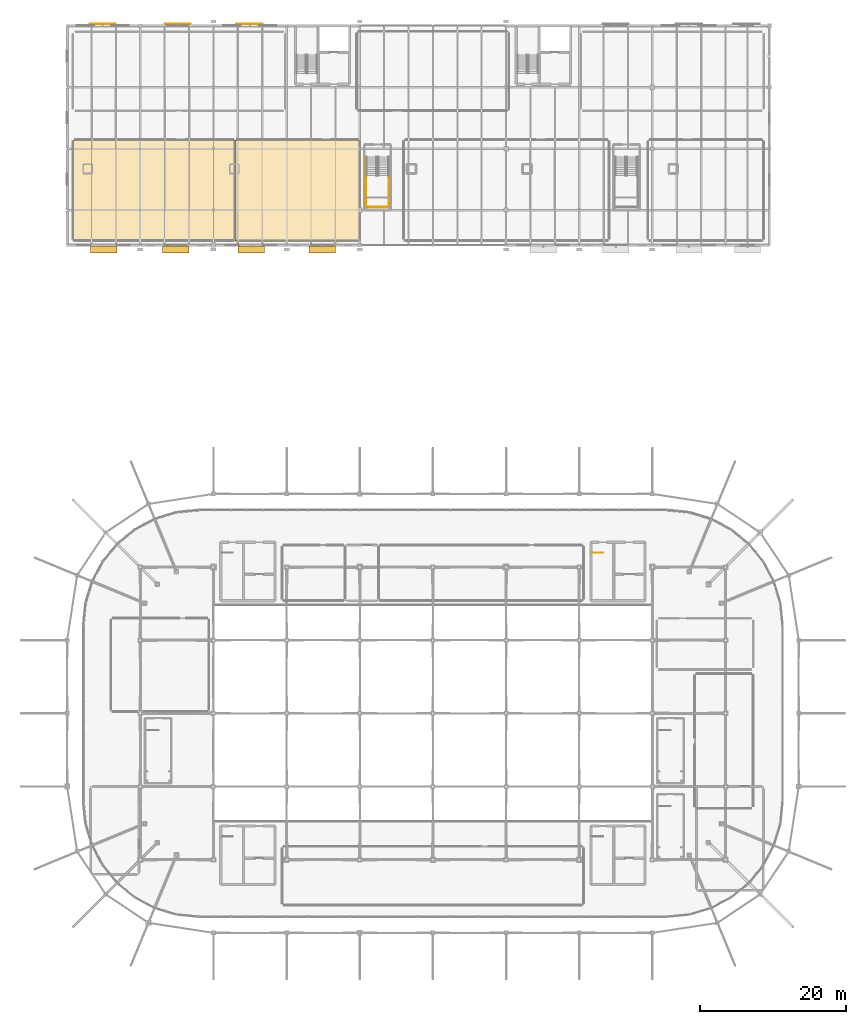
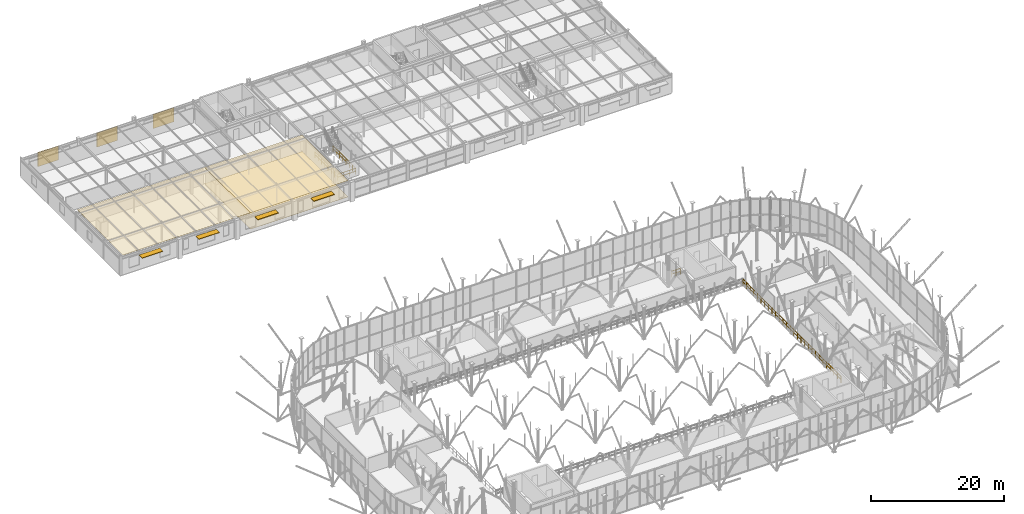
# One storey, part 106 of 109: 7 shading devices, 5 railings, 3 coverings.
"""IFC4 building model written with IfcOpenShell, lengths in metres."""

from ifc_helpers import new_model, si_unit, derived_unit, direction, frame, origin, origin_2d_with_axis, place, context, subcontext, project, spatial, polyline, rectangle, circle, outline, extrude, material, layer, layer_set, type_object, element, save


model = new_model("IFC4")

# Units and contexts
model_context = context("Model", 3, precision=1e-05, world=origin(), true_north=direction((0.0, 1.0)))
body_context = subcontext(model_context, "Body", "Model", "MODEL_VIEW")
ifc_project = project(units=[si_unit("LENGTHUNIT", "METRE"), si_unit("AREAUNIT", "SQUARE_METRE"), si_unit("VOLUMEUNIT", "CUBIC_METRE"), si_unit("PLANEANGLEUNIT", "RADIAN"), si_unit("MASSUNIT", "GRAM", prefix="KILO"), derived_unit("THERMALTRANSMITTANCEUNIT", [(si_unit("POWERUNIT", "WATT"), 1), (si_unit("LENGTHUNIT", "METRE"), -2), (si_unit("THERMODYNAMICTEMPERATUREUNIT", "KELVIN"), -1)])], contexts=[model_context])

# Site, building, storey
site_placement = place(None, origin())
site = spatial("IfcSite", under=ifc_project, at=site_placement, CompositionType="ELEMENT")
building_placement = place(site_placement, origin())
building = spatial("IfcBuilding", under=site, at=building_placement, Name="Cinnabar Yard Market Hall", CompositionType="ELEMENT")
storey_placement = place(building_placement, frame((0.0, 0.0, 8.39990234375)))
storey = spatial("IfcBuildingStorey", under=building, at=storey_placement, Name="L02", CompositionType="ELEMENT", Elevation=8.39990234375)

# Coverings
ifc_material_1 = material(Name="Perforated acoustic spotted-gum timber slats", Category="wood")
ifc_layer_1 = layer(ifc_material_1, 0.0400390625)
ifc_layer_set_1 = layer_set([ifc_layer_1], Name="Perforated acoustic spotted-gum timber slats")
covering_type_1 = type_object("IfcCoveringType", Name="COV-CLG1", PredefinedType="CEILING", material=ifc_layer_set_1)
covering_1_placement = place(storey_placement, frame((0.0, 0.0, 3.0)))
element("IfcCovering", 1, at=covering_1_placement, inside=storey, type_object=covering_type_1, Name="Ceiling Cooking School Teaching Kitchen 201", PredefinedType="CEILING", context=body_context, shape_type="SweptSolid", body=[
    extrude(outline(polyline([(66.800048828125, 108.60009765625), (89.0, 108.60009765625), (89.0, 122.39990234375), (66.800048828125, 122.39990234375), (66.800048828125, 108.60009765625)])), origin(), (0.0, 0.0, 1.0), 0.03515625),
])
covering_2_placement = place(storey_placement, frame((0.0, 0.0, 3.0)))
element("IfcCovering", 2, at=covering_2_placement, inside=storey, type_object=covering_type_1, Name="Ceiling Cooking School Pastry and Baking Kitchen 202", PredefinedType="CEILING", context=body_context, shape_type="SweptSolid", body=[
    extrude(outline(polyline([(89.0, 108.60009765625), (106.0, 108.60009765625), (106.0, 122.39990234375), (89.0, 122.39990234375), (89.0, 108.60009765625)])), origin(), (0.0, 0.0, 1.0), 0.03515625),
])
ifc_material_2 = material(Name="Honed Adelaide red terrazzo flooring")
ifc_layer_2 = layer(ifc_material_2, 0.030029296875)
ifc_layer_set_2 = layer_set([ifc_layer_2], Name="Honed Adelaide red terrazzo flooring")
covering_type_2 = type_object("IfcCoveringType", Name="COV-FLR1", PredefinedType="FLOORING", material=ifc_layer_set_2)
covering_3_placement = place(storey_placement, origin())
element("IfcCovering", 3, at=covering_3_placement, inside=storey, type_object=covering_type_2, Name="Flooring Cooking School Pastry and Baking Kitchen 202", PredefinedType="FLOORING", context=body_context, shape_type="SweptSolid", body=[
    extrude(outline(polyline([(89.0, 108.60009765625), (106.0, 108.60009765625), (106.0, 122.39990234375), (89.0, 122.39990234375), (89.0, 108.60009765625)])), origin(), (0.0, 0.0, 1.0), 0.025146484375),
])

# Railings
ifc_material_3 = material(Name="Laminated glass and bronze handrail", Category="glass")
ifc_layer_3 = layer(ifc_material_3, 0.070068359375)
ifc_layer_set_3 = layer_set([ifc_layer_3], Name="Laminated glass and bronze handrail")
railing_type_1 = type_object("IfcRailingType", Name="RL-G01", PredefinedType="BALUSTRADE", material=ifc_layer_set_3)
railing_1_placement = place(storey_placement, frame((106.860107421875, 120.050048828125, 0.0)))
element("IfcRailing", 4, at=railing_1_placement, inside=storey, type_object=railing_type_1, Name="Feature Stair ST-F4 L02 Well Guard 1", PredefinedType="BALUSTRADE", context=body_context, shape_type="SweptSolid", body=[
    extrude(circle(Radius=0.02392578125, at=origin_2d_with_axis()), frame((0.0, 0.0, 1.09619140625), z_axis=(0.0, -1.0, 0.0), x_axis=(1.0, 0.0, 0.0)), (0.0, 0.0, 1.0), 6.840087890625),
    extrude(circle(Radius=0.02392578125, at=origin_2d_with_axis()), frame((0.0, 0.0, 0.550048828125), z_axis=(0.0, -1.0, 0.0), x_axis=(1.0, 0.0, 0.0)), (0.0, 0.0, 1.0), 6.840087890625),
    extrude(circle(Radius=0.02099609375, at=origin_2d_with_axis()), origin(), (0.0, 0.0, 1.0), 1.072021484375),
    extrude(circle(Radius=0.02099609375, at=origin_2d_with_axis()), frame((0.0, -0.97705078125, 0.0)), (0.0, 0.0, 1.0), 1.072021484375),
    extrude(circle(Radius=0.02099609375, at=origin_2d_with_axis()), frame((0.0, -1.954345703125, 0.0)), (0.0, 0.0, 1.0), 1.072021484375),
    extrude(circle(Radius=0.02099609375, at=origin_2d_with_axis()), frame((0.0, -2.931396484375, 0.0)), (0.0, 0.0, 1.0), 1.072021484375),
    extrude(circle(Radius=0.02099609375, at=origin_2d_with_axis()), frame((0.0, -3.90869140625, 0.0)), (0.0, 0.0, 1.0), 1.072021484375),
    extrude(circle(Radius=0.02099609375, at=origin_2d_with_axis()), frame((0.0, -4.8857421875, 0.0)), (0.0, 0.0, 1.0), 1.072021484375),
    extrude(circle(Radius=0.02099609375, at=origin_2d_with_axis()), frame((0.0, -5.863037109375, 0.0)), (0.0, 0.0, 1.0), 1.072021484375),
    extrude(circle(Radius=0.02099609375, at=origin_2d_with_axis()), frame((0.0, -6.840087890625, 0.0)), (0.0, 0.0, 1.0), 1.072021484375),
])
railing_2_placement = place(storey_placement, frame((106.860107421875, 113.2099609375, 0.0)))
element("IfcRailing", 5, at=railing_2_placement, inside=storey, type_object=railing_type_1, Name="Feature Stair ST-F4 L02 Well Guard 2", PredefinedType="BALUSTRADE", context=body_context, shape_type="SweptSolid", body=[
    extrude(circle(Radius=0.02392578125, at=origin_2d_with_axis()), frame((0.0, 0.0, 1.09619140625), z_axis=(1.0, 0.0, 0.0), x_axis=(0.0, 1.0, 0.0)), (0.0, 0.0, 1.0), 3.139892578125),
    extrude(circle(Radius=0.02392578125, at=origin_2d_with_axis()), frame((0.0, 0.0, 0.550048828125), z_axis=(1.0, 0.0, 0.0), x_axis=(0.0, 1.0, 0.0)), (0.0, 0.0, 1.0), 3.139892578125),
    extrude(circle(Radius=0.02099609375, at=origin_2d_with_axis()), origin(), (0.0, 0.0, 1.0), 1.072021484375),
    extrude(circle(Radius=0.02099609375, at=origin_2d_with_axis()), frame((1.046630859375, 0.0, 0.0)), (0.0, 0.0, 1.0), 1.072021484375),
    extrude(circle(Radius=0.02099609375, at=origin_2d_with_axis()), frame((2.09326171875, 0.0, 0.0)), (0.0, 0.0, 1.0), 1.072021484375),
    extrude(circle(Radius=0.02099609375, at=origin_2d_with_axis()), frame((3.139892578125, 0.0, 0.0)), (0.0, 0.0, 1.0), 1.072021484375),
])
railing_3_placement = place(storey_placement, frame((110.0, 113.2099609375, 0.0)))
element("IfcRailing", 6, at=railing_3_placement, inside=storey, type_object=railing_type_1, Name="Feature Stair ST-F4 L02 Well Guard 3", PredefinedType="BALUSTRADE", context=body_context, shape_type="SweptSolid", body=[
    extrude(circle(Radius=0.02392578125, at=origin_2d_with_axis()), frame((0.0, 0.0, 1.09619140625), z_axis=(0.0, 1.0, 0.0), x_axis=(-1.0, 0.0, 0.0)), (0.0, 0.0, 1.0), 6.840087890625),
    extrude(circle(Radius=0.02392578125, at=origin_2d_with_axis()), frame((0.0, 0.0, 0.550048828125), z_axis=(0.0, 1.0, 0.0), x_axis=(-1.0, 0.0, 0.0)), (0.0, 0.0, 1.0), 6.840087890625),
    extrude(circle(Radius=0.02099609375, at=origin_2d_with_axis()), origin(), (0.0, 0.0, 1.0), 1.072021484375),
    extrude(circle(Radius=0.02099609375, at=origin_2d_with_axis()), frame((0.0, 0.97705078125, 0.0)), (0.0, 0.0, 1.0), 1.072021484375),
    extrude(circle(Radius=0.02099609375, at=origin_2d_with_axis()), frame((0.0, 1.954345703125, 0.0)), (0.0, 0.0, 1.0), 1.072021484375),
    extrude(circle(Radius=0.02099609375, at=origin_2d_with_axis()), frame((0.0, 2.931396484375, 0.0)), (0.0, 0.0, 1.0), 1.072021484375),
    extrude(circle(Radius=0.02099609375, at=origin_2d_with_axis()), frame((0.0, 3.90869140625, 0.0)), (0.0, 0.0, 1.0), 1.072021484375),
    extrude(circle(Radius=0.02099609375, at=origin_2d_with_axis()), frame((0.0, 4.8857421875, 0.0)), (0.0, 0.0, 1.0), 1.072021484375),
    extrude(circle(Radius=0.02099609375, at=origin_2d_with_axis()), frame((0.0, 5.863037109375, 0.0)), (0.0, 0.0, 1.0), 1.072021484375),
    extrude(circle(Radius=0.02099609375, at=origin_2d_with_axis()), frame((0.0, 6.840087890625, 0.0)), (0.0, 0.0, 1.0), 1.072021484375),
])
railing_4_placement = place(storey_placement, frame((146.0, 29.199951171875, 0.0)))
element("IfcRailing", 7, at=railing_4_placement, inside=storey, type_object=railing_type_1, Name="L02 Upper Balcony Void Balustrade 2", PredefinedType="BALUSTRADE", context=body_context, shape_type="SweptSolid", body=[
    extrude(circle(Radius=0.02392578125, at=origin_2d_with_axis()), frame((0.0, 0.0, 1.09619140625), z_axis=(0.0, 1.0, 0.0), x_axis=(-1.0, 0.0, 0.0)), (0.0, 0.0, 1.0), 29.60009765625),
    extrude(circle(Radius=0.02392578125, at=origin_2d_with_axis()), frame((0.0, 0.0, 0.550048828125), z_axis=(0.0, 1.0, 0.0), x_axis=(-1.0, 0.0, 0.0)), (0.0, 0.0, 1.0), 29.60009765625),
    extrude(circle(Radius=0.02099609375, at=origin_2d_with_axis()), origin(), (0.0, 0.0, 1.0), 1.072021484375),
    extrude(circle(Radius=0.02099609375, at=origin_2d_with_axis()), frame((0.0, 1.09619140625, 0.0)), (0.0, 0.0, 1.0), 1.072021484375),
    extrude(circle(Radius=0.02099609375, at=origin_2d_with_axis()), frame((0.0, 2.192626953125, 0.0)), (0.0, 0.0, 1.0), 1.072021484375),
    extrude(circle(Radius=0.02099609375, at=origin_2d_with_axis()), frame((0.0, 3.288818359375, 0.0)), (0.0, 0.0, 1.0), 1.072021484375),
    extrude(circle(Radius=0.02099609375, at=origin_2d_with_axis()), frame((0.0, 4.38525390625, 0.0)), (0.0, 0.0, 1.0), 1.072021484375),
    extrude(circle(Radius=0.02099609375, at=origin_2d_with_axis()), frame((0.0, 5.4814453125, 0.0)), (0.0, 0.0, 1.0), 1.072021484375),
    extrude(circle(Radius=0.02099609375, at=origin_2d_with_axis()), frame((0.0, 6.577880859375, 0.0)), (0.0, 0.0, 1.0), 1.072021484375),
    extrude(circle(Radius=0.02099609375, at=origin_2d_with_axis()), frame((0.0, 7.674072265625, 0.0)), (0.0, 0.0, 1.0), 1.072021484375),
    extrude(circle(Radius=0.02099609375, at=origin_2d_with_axis()), frame((0.0, 8.7705078125, 0.0)), (0.0, 0.0, 1.0), 1.072021484375),
    extrude(circle(Radius=0.02099609375, at=origin_2d_with_axis()), frame((0.0, 9.86669921875, 0.0)), (0.0, 0.0, 1.0), 1.072021484375),
    extrude(circle(Radius=0.02099609375, at=origin_2d_with_axis()), frame((0.0, 10.962890625, 0.0)), (0.0, 0.0, 1.0), 1.072021484375),
    extrude(circle(Radius=0.02099609375, at=origin_2d_with_axis()), frame((0.0, 12.059326171875, 0.0)), (0.0, 0.0, 1.0), 1.072021484375),
    extrude(circle(Radius=0.02099609375, at=origin_2d_with_axis()), frame((0.0, 13.155517578125, 0.0)), (0.0, 0.0, 1.0), 1.072021484375),
    extrude(circle(Radius=0.02099609375, at=origin_2d_with_axis()), frame((0.0, 14.251953125, 0.0)), (0.0, 0.0, 1.0), 1.072021484375),
    extrude(circle(Radius=0.02099609375, at=origin_2d_with_axis()), frame((0.0, 15.34814453125, 0.0)), (0.0, 0.0, 1.0), 1.072021484375),
    extrude(circle(Radius=0.02099609375, at=origin_2d_with_axis()), frame((0.0, 16.444580078125, 0.0)), (0.0, 0.0, 1.0), 1.072021484375),
    extrude(circle(Radius=0.02099609375, at=origin_2d_with_axis()), frame((0.0, 17.540771484375, 0.0)), (0.0, 0.0, 1.0), 1.072021484375),
    extrude(circle(Radius=0.02099609375, at=origin_2d_with_axis()), frame((0.0, 18.63720703125, 0.0)), (0.0, 0.0, 1.0), 1.072021484375),
    extrude(circle(Radius=0.02099609375, at=origin_2d_with_axis()), frame((0.0, 19.7333984375, 0.0)), (0.0, 0.0, 1.0), 1.072021484375),
    extrude(circle(Radius=0.02099609375, at=origin_2d_with_axis()), frame((0.0, 20.82958984375, 0.0)), (0.0, 0.0, 1.0), 1.072021484375),
    extrude(circle(Radius=0.02099609375, at=origin_2d_with_axis()), frame((0.0, 21.926025390625, 0.0)), (0.0, 0.0, 1.0), 1.072021484375),
    extrude(circle(Radius=0.02099609375, at=origin_2d_with_axis()), frame((0.0, 23.022216796875, 0.0)), (0.0, 0.0, 1.0), 1.072021484375),
    extrude(circle(Radius=0.02099609375, at=origin_2d_with_axis()), frame((0.0, 24.11865234375, 0.0)), (0.0, 0.0, 1.0), 1.072021484375),
    extrude(circle(Radius=0.02099609375, at=origin_2d_with_axis()), frame((0.0, 25.21484375, 0.0)), (0.0, 0.0, 1.0), 1.072021484375),
    extrude(circle(Radius=0.02099609375, at=origin_2d_with_axis()), frame((0.0, 26.311279296875, 0.0)), (0.0, 0.0, 1.0), 1.072021484375),
    extrude(circle(Radius=0.02099609375, at=origin_2d_with_axis()), frame((0.0, 27.407470703125, 0.0)), (0.0, 0.0, 1.0), 1.072021484375),
    extrude(circle(Radius=0.02099609375, at=origin_2d_with_axis()), frame((0.0, 28.50390625, 0.0)), (0.0, 0.0, 1.0), 1.072021484375),
    extrude(circle(Radius=0.02099609375, at=origin_2d_with_axis()), frame((0.0, 29.60009765625, 0.0)), (0.0, 0.0, 1.0), 1.072021484375),
])
ifc_material_4 = material(Name="Galvanised steel Grade 300 (300 MPa) guardrail", Category="steel")
ifc_layer_4 = layer(ifc_material_4, 0.06005859375)
ifc_layer_set_4 = layer_set([ifc_layer_4], Name="Galvanised steel Grade 300 (300 MPa) guardrail")
railing_type_2 = type_object("IfcRailingType", Name="RL-G03", PredefinedType="GUARDRAIL", material=ifc_layer_set_4)
railing_5_placement = place(storey_placement, frame((137.739990234375, 65.9599609375, 0.0)))
element("IfcRailing", 8, at=railing_5_placement, inside=storey, type_object=railing_type_2, Name="L02 ST-C7 top well guard 1", PredefinedType="GUARDRAIL", context=body_context, shape_type="SweptSolid", body=[
    extrude(circle(Radius=0.02392578125, at=origin_2d_with_axis()), frame((0.0, 0.0, 1.09619140625), z_axis=(1.0, 0.0, 0.0), x_axis=(0.0, 1.0, 0.0)), (0.0, 0.0, 1.0), 1.510009765625),
    extrude(circle(Radius=0.02392578125, at=origin_2d_with_axis()), frame((0.0, 0.0, 0.550048828125), z_axis=(1.0, 0.0, 0.0), x_axis=(0.0, 1.0, 0.0)), (0.0, 0.0, 1.0), 1.510009765625),
    extrude(circle(Radius=0.02099609375, at=origin_2d_with_axis()), origin(), (0.0, 0.0, 1.0), 1.072021484375),
    extrude(circle(Radius=0.02099609375, at=origin_2d_with_axis()), frame((0.7548828125, 0.0, 0.0)), (0.0, 0.0, 1.0), 1.072021484375),
    extrude(circle(Radius=0.02099609375, at=origin_2d_with_axis()), frame((1.510009765625, 0.0, 0.0)), (0.0, 0.0, 1.0), 1.072021484375),
])

# Shading devices
ifc_material_5 = material(Name="Projecting sandstone-clad steel chhajja hood", Category="masonry")
shading_device_type_1 = type_object("IfcShadingDeviceType", Name="SHD-CHJ1", PredefinedType="SHUTTER", material=ifc_material_5)
for number, where, z_axis, x_axis, name in (
    (9, (71.0009765625, 107.39990234375, 2.59521484375), (0.0, 0.0, 1.0), (1.0, 0.0, 0.0), "Wing South Chhajja Hood L02 Bay 1"),
    (10, (80.85302734375, 107.39990234375, 2.59521484375), (0.0, 0.0, 1.0), (1.0, 0.0, 0.0), "Wing South Chhajja Hood L02 Bay 2"),
    (11, (91.14697265625, 107.39990234375, 2.59521484375), (0.0, 0.0, 1.0), (1.0, 0.0, 0.0), "Wing South Chhajja Hood L02 Bay 3"),
    (12, (100.8779296875, 107.39990234375, 2.59521484375), (0.0, 0.0, 1.0), (1.0, 0.0, 0.0), "Wing South Chhajja Hood L02 Bay 4"),
):
    element("IfcShadingDevice", number, at=place(storey_placement, frame(where, z_axis=z_axis, x_axis=x_axis)), inside=storey, type_object=shading_device_type_1, Name=name, PredefinedType="SHUTTER", context=body_context, shape_type="SweptSolid", body=[
        extrude(rectangle(XDim=3.60009765625, YDim=0.949951171875, at=origin_2d_with_axis()), origin(), (0.0, 0.0, 1.0), 0.090087890625),
    ])
ifc_material_6 = material(Name="Perforated weathering bronze aluminium jali screen", Category="aluminium")
shading_device_type_2 = type_object("IfcShadingDeviceType", Name="SHD-JALI1", PredefinedType="JALOUSIE", material=ifc_material_6)
for number, where, z_axis, x_axis, name in (
    (13, (70.8779296875, 138.219970703125, 0.550048828125), (0.0, 0.0, 1.0), (1.0, 0.0, 0.0), "Wing North Jali Screen L02 Bay 1"),
    (14, (81.1220703125, 138.219970703125, 0.550048828125), (0.0, 0.0, 1.0), (1.0, 0.0, 0.0), "Wing North Jali Screen L02 Bay 2"),
    (15, (90.939697265625, 138.219970703125, 0.550048828125), (0.0, 0.0, 1.0), (1.0, 0.0, 0.0), "Wing North Jali Screen L02 Bay 3"),
):
    element("IfcShadingDevice", number, at=place(storey_placement, frame(where, z_axis=z_axis, x_axis=x_axis)), inside=storey, type_object=shading_device_type_2, Name=name, PredefinedType="JALOUSIE", context=body_context, shape_type="SweptSolid", body=[
        extrude(rectangle(XDim=3.60009765625, YDim=0.080078125, at=origin_2d_with_axis()), origin(), (0.0, 0.0, 1.0), 2.60009765625),
    ])

save(model, "model.ifc")
